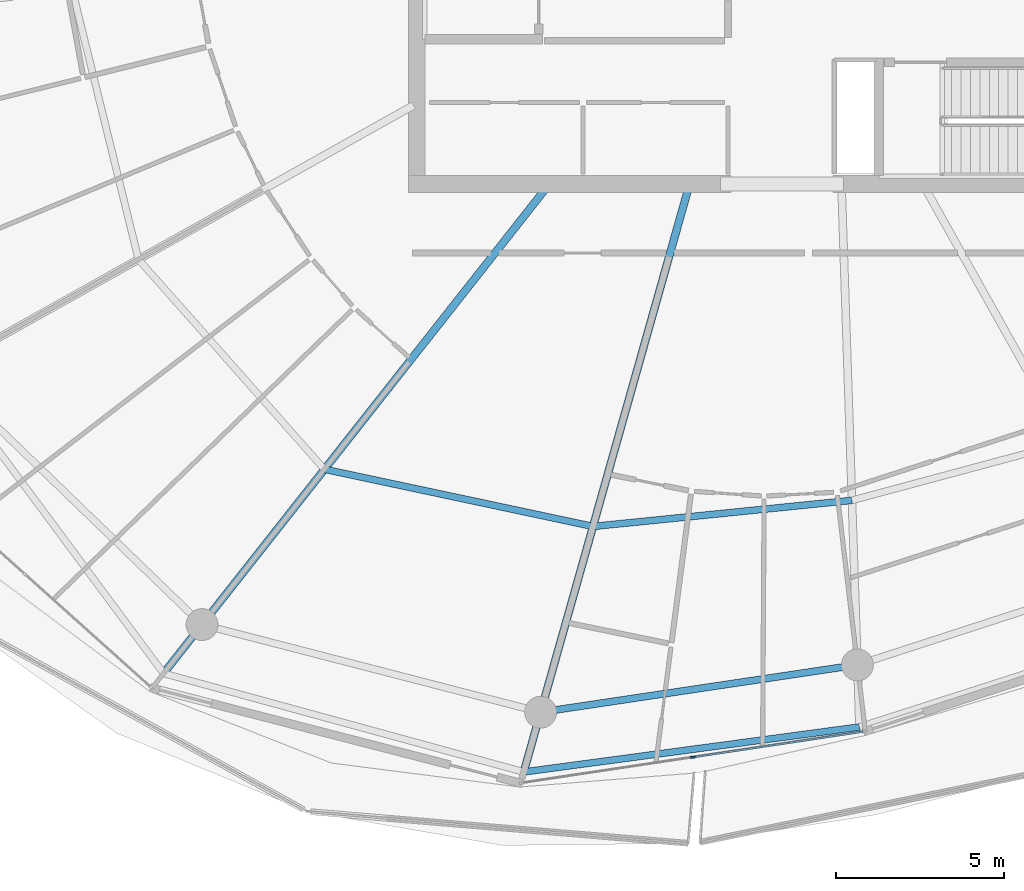
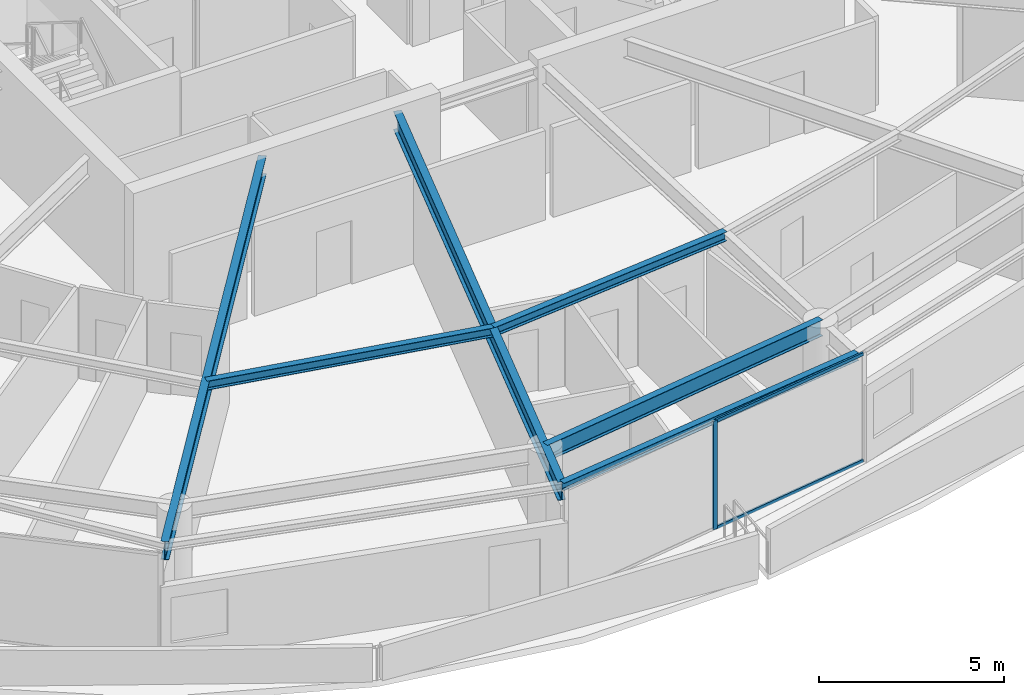
# One storey, part 7 of 30: 6 beams, 3 members, 1 element without a shape of its own.
"""IFC4 building model written with IfcOpenShell, lengths in metres."""

from ifc_helpers import new_model, si_unit, direction, frame, origin, origin_2d, place, context, subcontext, project, spatial, rectangle, i_section, extrude, material, layer, layer_set, material_profile, profile_set, type_object, element, aggregate, save


model = new_model("IFC4")

# Units and contexts
model_context = context("Model", 3, precision=1e-05, world=origin(), true_north=direction((0.0, 1.0)))
body_context = subcontext(model_context, "Body", "Model", "MODEL_VIEW")
ifc_project = project(units=[si_unit("LENGTHUNIT", "METRE"), si_unit("AREAUNIT", "SQUARE_METRE"), si_unit("VOLUMEUNIT", "CUBIC_METRE"), si_unit("PLANEANGLEUNIT", "RADIAN"), si_unit("MASSUNIT", "GRAM", prefix="KILO")], contexts=[model_context])

# Site, building, storey
site_placement = place(None, origin())
site = spatial("IfcSite", under=ifc_project, at=site_placement, CompositionType="ELEMENT")
building_placement = place(site_placement, origin())
building = spatial("IfcBuilding", under=site, at=building_placement, Name="Kazma Halo Residences", CompositionType="ELEMENT")
storey_placement = place(building_placement, frame((0.0, 0.0, 290.60009765625)))
storey = spatial("IfcBuildingStorey", under=building, at=storey_placement, Name="L73", CompositionType="ELEMENT", Elevation=290.60009765625)

# Beams
ifc_material_1 = material(Name="Steel S355", Category="steel")
ifc_material_profile_1 = material_profile(ifc_material_1, i_section(OverallWidth=0.201904296875, OverallDepth=0.2470703125, WebThickness=0.00732421875, FlangeThickness=0.010986328125, FilletRadius=0.011962890625, at=origin_2d()), Name="W250x49.1")
ifc_profile_set_1 = profile_set([ifc_material_profile_1], Name="Steel S355")
beam_type_1 = type_object("IfcBeamType", Name="BM-BAL-CANT", PredefinedType="BEAM", material=ifc_profile_set_1)
beam_1_placement = place(storey_placement, frame((40.73486328125, 16.239990234375, 3.46630859375), z_axis=(0.991136135569, 0.132850144029, 0.0), x_axis=(-0.132850144029, 0.991136135569, 0.0)))
element("IfcBeam", 1, at=beam_1_placement, inside=storey, type_object=beam_type_1, Name="L73 wave-balcony tie beam 11", PredefinedType="BEAM", context=body_context, shape_type="SweptSolid", body=[
    extrude(i_section(OverallWidth=0.201904296875, OverallDepth=0.2470703125, WebThickness=0.00732421875, FlangeThickness=0.010986328125, FilletRadius=0.011962890625, at=origin_2d()), origin(), (0.0, 0.0, 1.0), 10.087158203125),
])
ifc_material_profile_2 = material_profile(ifc_material_1, i_section(OverallWidth=0.22802734375, OverallDepth=0.60791015625, WebThickness=0.01123046875, FlangeThickness=0.017333984375, FilletRadius=0.01806640625, at=origin_2d()), Name="W610x113")
ifc_profile_set_2 = profile_set([ifc_material_profile_2], Name="Steel S355")
beam_type_2 = type_object("IfcBeamType", Name="BM-RAD-W610", PredefinedType="BEAM", material=ifc_profile_set_2)
beam_2_placement = place(storey_placement, frame((41.41748046875, 33.64990234375, 3.285888671875), z_axis=(-0.619094367176, -0.785316601461, 0.0), x_axis=(0.785316601461, -0.619094367176, 0.0)))
element("IfcBeam", 2, at=beam_2_placement, inside=storey, type_object=beam_type_2, Name="L73 radial floor beam 10", PredefinedType="BEAM", context=body_context, shape_type="SweptSolid", body=[
    extrude(i_section(OverallWidth=0.22802734375, OverallDepth=0.60791015625, WebThickness=0.01123046875, FlangeThickness=0.017333984375, FilletRadius=0.01806640625, at=origin_2d()), origin(), (0.0, 0.0, 1.0), 18.429931640625),
])
beam_3_placement = place(storey_placement, frame((45.64501953125, 33.64990234375, 3.285888671875), z_axis=(-0.271443175073, -0.962454467861, 0.0), x_axis=(0.962454467861, -0.271443175073, 0.0)))
element("IfcBeam", 3, at=beam_3_placement, inside=storey, type_object=beam_type_2, Name="L73 radial floor beam 11", PredefinedType="BEAM", context=body_context, shape_type="SweptSolid", body=[
    extrude(i_section(OverallWidth=0.22802734375, OverallDepth=0.60791015625, WebThickness=0.01123046875, FlangeThickness=0.017333984375, FilletRadius=0.01806640625, at=origin_2d()), origin(), (0.0, 0.0, 1.0), 18.089111328125),
])
ifc_material_profile_3 = material_profile(ifc_material_1, i_section(OverallWidth=0.202880859375, OverallDepth=0.302978515625, WebThickness=0.007568359375, FlangeThickness=0.01318359375, FilletRadius=0.013916015625, at=origin_2d()), Name="W310x60")
ifc_profile_set_3 = profile_set([ifc_material_profile_3], Name="Steel S355")
beam_type_3 = type_object("IfcBeamType", Name="BM-SEC-W310A", PredefinedType="JOIST", material=ifc_profile_set_3)
beam_4_placement = place(storey_placement, frame((34.7998046875, 25.25537109375, 3.4384765625), z_axis=(0.97806685939, -0.208291186956, 0.0), x_axis=(0.208291186956, 0.97806685939, 0.0)))
element("IfcBeam", 4, at=beam_4_placement, inside=storey, type_object=beam_type_3, Name="L73 circumferential floor joist 10", PredefinedType="JOIST", context=body_context, shape_type="SweptSolid", body=[
    extrude(i_section(OverallWidth=0.202880859375, OverallDepth=0.302978515625, WebThickness=0.007568359375, FlangeThickness=0.01318359375, FilletRadius=0.013916015625, at=origin_2d()), origin(), (0.0, 0.0, 1.0), 8.1767578125),
])
beam_5_placement = place(storey_placement, frame((42.797119140625, 23.55224609375, 3.4384765625), z_axis=(0.994958290831, 0.100289578258, 0.0), x_axis=(-0.100289578258, 0.994958290831, 0.0)))
element("IfcBeam", 5, at=beam_5_placement, inside=storey, type_object=beam_type_3, Name="L73 circumferential floor joist 11", PredefinedType="JOIST", context=body_context, shape_type="SweptSolid", body=[
    extrude(i_section(OverallWidth=0.202880859375, OverallDepth=0.302978515625, WebThickness=0.007568359375, FlangeThickness=0.01318359375, FilletRadius=0.013916015625, at=origin_2d()), origin(), (0.0, 0.0, 1.0), 7.7509765625),
])
ifc_material_profile_4 = material_profile(ifc_material_1, i_section(OverallWidth=0.208984375, OverallDepth=0.532958984375, WebThickness=0.01025390625, FlangeThickness=0.015625, FilletRadius=0.01611328125, at=origin_2d()), Name="W530x92")
ifc_profile_set_4 = profile_set([ifc_material_profile_4], Name="Steel S355")
beam_type_4 = type_object("IfcBeamType", Name="BM-SPN-W530", PredefinedType="BEAM", material=ifc_profile_set_4)
beam_6_placement = place(storey_placement, frame((41.237060546875, 18.0205078125, 3.323486328125), z_axis=(0.989035441627, 0.147678350495, 0.0), x_axis=(-0.147678350495, 0.989035441627, 0.0)))
element("IfcBeam", 6, at=beam_6_placement, inside=storey, type_object=beam_type_4, Name="L73 perimeter ring beam 11", PredefinedType="BEAM", context=body_context, shape_type="SweptSolid", body=[
    extrude(i_section(OverallWidth=0.208984375, OverallDepth=0.532958984375, WebThickness=0.01025390625, FlangeThickness=0.015625, FilletRadius=0.01611328125, at=origin_2d()), origin(), (0.0, 0.0, 1.0), 9.538818359375),
])

# Curtain wall, members
ifc_material_2 = material(Name="Aluminium AW-6063 T6 and Triple-Silver Low-E Glass", Category="aluminium")
ifc_layer = layer(ifc_material_2, 0.139892578125)
ifc_layer_set = layer_set([ifc_layer], Name="Aluminium AW-6063 T6 and Triple-Silver Low-E Glass")
curtain_wall_type = type_object("IfcCurtainWallType", Name="CW-SYS-5", PredefinedType="NOTDEFINED", material=ifc_layer_set)
curtain_wall_placement = place(storey_placement, origin())
curtain_wall = element("IfcCurtainWall", 7, at=curtain_wall_placement, inside=storey, type_object=curtain_wall_type, Name="L73 unitised curtain wall B11", PredefinedType="NOTDEFINED")
ifc_material_3 = material(Name="Aluminium AW-6063 T6", Category="aluminium")
ifc_material_profile_5 = material_profile(ifc_material_3, rectangle(XDim=0.06005859375, YDim=0.139892578125, at=origin_2d()), Name="CWM-60x140")
ifc_profile_set_5 = profile_set([ifc_material_profile_5], Name="Aluminium AW-6063 T6")
member_type_1 = type_object("IfcMemberType", Name="CW-SYS-5-MUL", PredefinedType="MULLION", material=ifc_profile_set_5)
member_1_placement = place(storey_placement, frame((45.7734375, 16.679931640625, 0.0), z_axis=(0.0, 0.0, 1.0), x_axis=(-0.148697080374, 0.988882792998, 0.0)))
member_1 = element("IfcMember", 8, at=member_1_placement, type_object=member_type_1, Name="CWS-5 mullion 2", PredefinedType="MULLION", context=body_context, shape_type="SweptSolid", body=[
    extrude(rectangle(XDim=0.06005859375, YDim=0.139892578125, at=origin_2d()), origin(), (0.0, 0.0, 1.0), 3.58984375),
])
ifc_material_profile_6 = material_profile(ifc_material_3, rectangle(XDim=0.06005859375, YDim=0.10498046875, at=origin_2d()), Name="CWT-60x105")
ifc_profile_set_6 = profile_set([ifc_material_profile_6], Name="Aluminium AW-6063 T6")
member_type_2 = type_object("IfcMemberType", Name="CW-SYS-5-TRN", PredefinedType="USERDEFINED", material=ifc_profile_set_6)
member_2_placement = place(storey_placement, frame((45.80322265625, 16.6845703125, 0.02978515625), z_axis=(0.988882913569, 0.148696278541, 0.0), x_axis=(-0.148696278541, 0.988882913569, 0.0)))
member_2 = element("IfcMember", 9, at=member_2_placement, type_object=member_type_2, Name="CWS-5 transom 2.1", ObjectType="TRANSOM", PredefinedType="USERDEFINED", context=body_context, shape_type="SweptSolid", body=[
    extrude(rectangle(XDim=0.06005859375, YDim=0.10498046875, at=origin_2d()), origin(), (0.0, 0.0, 1.0), 5.099609375),
])
member_3_placement = place(storey_placement, frame((45.80322265625, 16.6845703125, 3.559814453125), z_axis=(0.988882913569, 0.148696278541, 0.0), x_axis=(-0.148696278541, 0.988882913569, 0.0)))
member_3 = element("IfcMember", 10, at=member_3_placement, type_object=member_type_2, Name="CWS-5 transom 2.2", ObjectType="TRANSOM", PredefinedType="USERDEFINED", context=body_context, shape_type="SweptSolid", body=[
    extrude(rectangle(XDim=0.06005859375, YDim=0.10498046875, at=origin_2d()), origin(), (0.0, 0.0, 1.0), 5.099609375),
])
aggregate(curtain_wall, [member_1, member_2, member_3])

save(model, "model.ifc")
